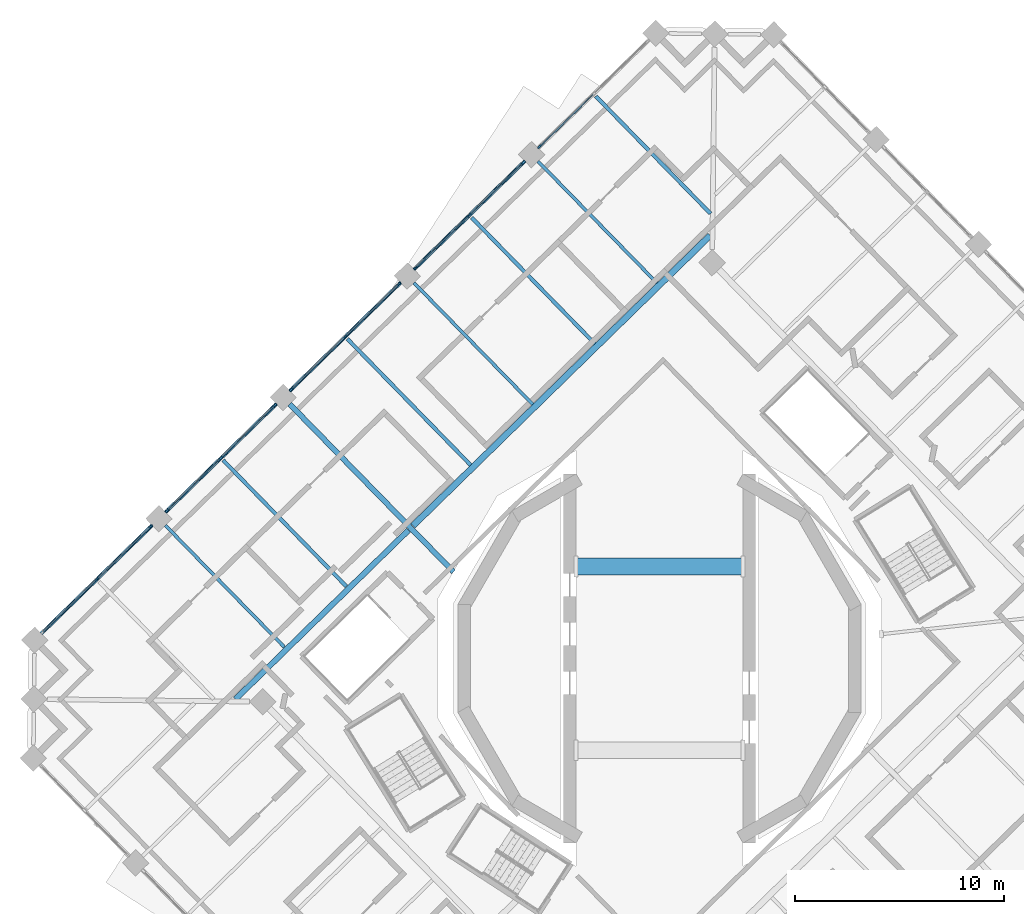
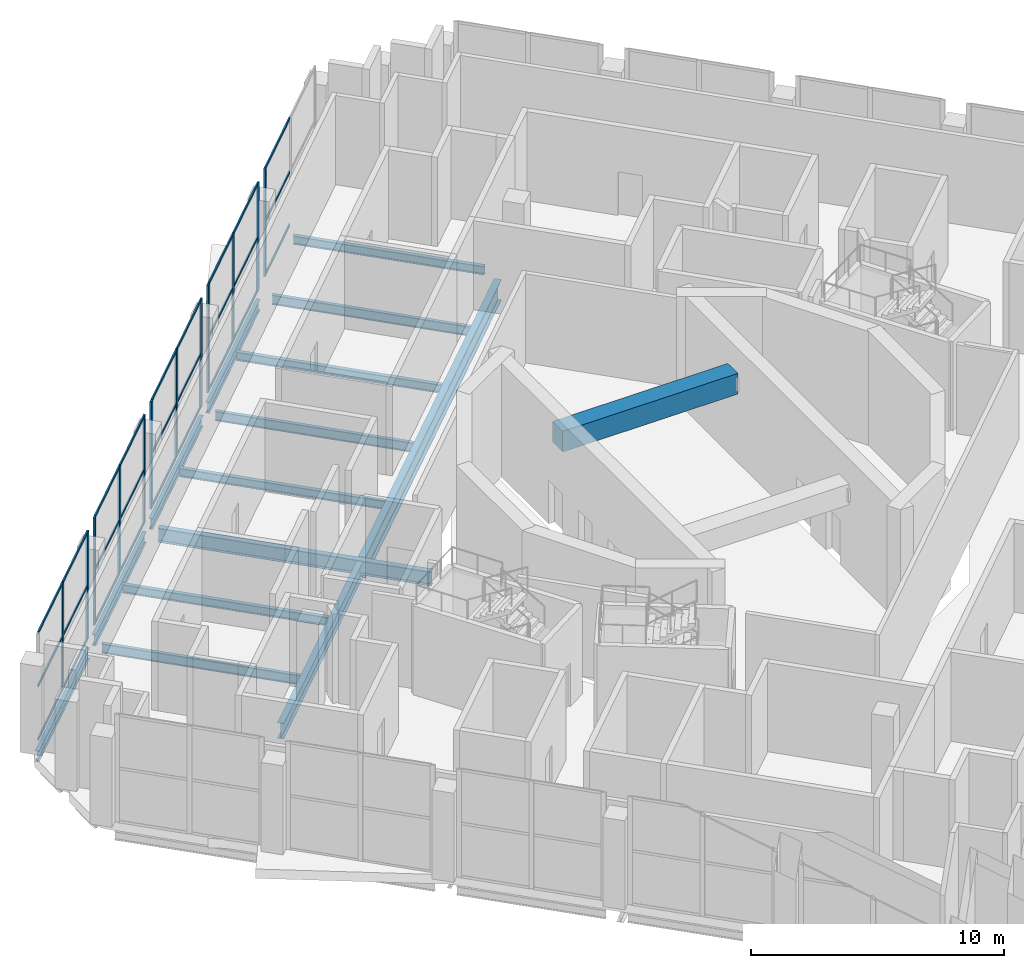
# One storey, part 6 of 20: 39 members, 15 beams, 5 elements without a shape of their own.
"""IFC4 building model written with IfcOpenShell, lengths in metres."""

from ifc_helpers import new_model, si_unit, direction, frame, origin, origin_2d, place, context, subcontext, project, spatial, rectangle, i_section, extrude, material, material_profile, profile_set, type_object, element, aggregate, save


model = new_model("IFC4")

# Units and contexts
model_context = context("Model", 3, precision=1e-05, world=origin(), true_north=direction((0.0, 1.0)))
body_context = subcontext(model_context, "Body", "Model", "MODEL_VIEW")
ifc_project = project(units=[si_unit("LENGTHUNIT", "METRE"), si_unit("AREAUNIT", "SQUARE_METRE"), si_unit("VOLUMEUNIT", "CUBIC_METRE"), si_unit("PLANEANGLEUNIT", "RADIAN"), si_unit("MASSUNIT", "GRAM", prefix="KILO")], contexts=[model_context])

# Site, building, storey
site_placement = place(None, origin())
site = spatial("IfcSite", under=ifc_project, at=site_placement, CompositionType="ELEMENT")
building_placement = place(site_placement, origin())
building = spatial("IfcBuilding", under=site, at=building_placement, Name="Cantera Rosa Tower", CompositionType="ELEMENT")
storey_placement = place(building_placement, frame((0.0, 0.0, 245.0)))
storey = spatial("IfcBuildingStorey", under=building, at=storey_placement, Name="L54", CompositionType="ELEMENT", Elevation=245.0)

# Curtain wall, member
ifc_material_1 = material(Name="Anodised aluminium louvre", Category="aluminium")
curtain_wall_type = type_object("IfcCurtainWallType", Name="CW3 REFUGE LOUVRE WALL", PredefinedType="NOTDEFINED", material=ifc_material_1)
curtain_wall_1_placement = place(storey_placement, origin())
curtain_wall_1 = element("IfcCurtainWall", 1, at=curtain_wall_1_placement, inside=storey, type_object=curtain_wall_type, Name="CW3 CW3", PredefinedType="NOTDEFINED")
ifc_material_2 = material(Name="Anodised bronze aluminium", Category="aluminium")
ifc_material_profile_1 = material_profile(ifc_material_2, rectangle(XDim=0.080078125, YDim=0.199951171875, at=origin_2d()), Name="CW-MULLION 80x200 REFUGE")
ifc_profile_set_1 = profile_set([ifc_material_profile_1], Name="Anodised bronze aluminium")
member_type_1 = type_object("IfcMemberType", Name="CW-MULLION 80x200 REFUGE", PredefinedType="MULLION", material=ifc_profile_set_1)
member_1_placement = place(storey_placement, frame((-5.746826171875, 24.51318359375, 0.0), z_axis=(0.0, 0.0, 1.0), x_axis=(0.698831540301, -0.715286291131, 0.0)))
member_1 = element("IfcMember", 2, at=member_1_placement, type_object=member_type_1, Name="CW3 mullion 3", PredefinedType="MULLION", context=body_context, shape_type="SweptSolid", body=[
    extrude(rectangle(XDim=0.080078125, YDim=0.199951171875, at=origin_2d()), origin(), (0.0, 0.0, 1.0), 5.199951171875),
])

# Curtain wall, members
curtain_wall_2_placement = place(storey_placement, origin())
curtain_wall_2 = element("IfcCurtainWall", 3, at=curtain_wall_2_placement, inside=storey, type_object=curtain_wall_type, Name="CW3 CW3", PredefinedType="NOTDEFINED")
member_2_placement = place(storey_placement, frame((-6.519287109375, 23.758544921875, 0.0), z_axis=(0.0, 0.0, 1.0), x_axis=(0.698831540376, -0.715286291058, 0.0)))
member_2 = element("IfcMember", 4, at=member_2_placement, type_object=member_type_1, Name="CW3 mullion 1", PredefinedType="MULLION", context=body_context, shape_type="SweptSolid", body=[
    extrude(rectangle(XDim=0.080078125, YDim=0.199951171875, at=origin_2d()), origin(), (0.0, 0.0, 1.0), 5.199951171875),
])
member_3_placement = place(storey_placement, frame((-9.108642578125, 21.228759765625, 0.0), z_axis=(0.0, 0.0, 1.0), x_axis=(0.698831540376, -0.715286291058, 0.0)))
member_3 = element("IfcMember", 5, at=member_3_placement, type_object=member_type_1, Name="CW3 mullion 2", PredefinedType="MULLION", context=body_context, shape_type="SweptSolid", body=[
    extrude(rectangle(XDim=0.080078125, YDim=0.199951171875, at=origin_2d()), origin(), (0.0, 0.0, 1.0), 5.199951171875),
])
member_4_placement = place(storey_placement, frame((-11.697998046875, 18.698974609375, 0.0), z_axis=(0.0, 0.0, 1.0), x_axis=(0.698831540376, -0.715286291058, 0.0)))
member_4 = element("IfcMember", 6, at=member_4_placement, type_object=member_type_1, Name="CW3 mullion 3", PredefinedType="MULLION", context=body_context, shape_type="SweptSolid", body=[
    extrude(rectangle(XDim=0.080078125, YDim=0.199951171875, at=origin_2d()), origin(), (0.0, 0.0, 1.0), 5.199951171875),
])

curtain_wall_3_placement = place(storey_placement, origin())
curtain_wall_3 = element("IfcCurtainWall", 7, at=curtain_wall_3_placement, inside=storey, type_object=curtain_wall_type, Name="CW3 CW3", PredefinedType="NOTDEFINED")
member_5_placement = place(storey_placement, frame((-12.470458984375, 17.944091796875, 0.0), z_axis=(0.0, 0.0, 1.0), x_axis=(0.698831540376, -0.715286291058, 0.0)))
member_5 = element("IfcMember", 8, at=member_5_placement, type_object=member_type_1, Name="CW3 mullion 1", PredefinedType="MULLION", context=body_context, shape_type="SweptSolid", body=[
    extrude(rectangle(XDim=0.080078125, YDim=0.199951171875, at=origin_2d()), origin(), (0.0, 0.0, 1.0), 5.199951171875),
])
member_6_placement = place(storey_placement, frame((-15.059814453125, 15.414306640625, 0.0), z_axis=(0.0, 0.0, 1.0), x_axis=(0.698831540376, -0.715286291058, 0.0)))
member_6 = element("IfcMember", 9, at=member_6_placement, type_object=member_type_1, Name="CW3 mullion 2", PredefinedType="MULLION", context=body_context, shape_type="SweptSolid", body=[
    extrude(rectangle(XDim=0.080078125, YDim=0.199951171875, at=origin_2d()), origin(), (0.0, 0.0, 1.0), 5.199951171875),
])
member_7_placement = place(storey_placement, frame((-17.649169921875, 12.884765625, 0.0), z_axis=(0.0, 0.0, 1.0), x_axis=(0.698831540376, -0.715286291058, 0.0)))
member_7 = element("IfcMember", 10, at=member_7_placement, type_object=member_type_1, Name="CW3 mullion 3", PredefinedType="MULLION", context=body_context, shape_type="SweptSolid", body=[
    extrude(rectangle(XDim=0.080078125, YDim=0.199951171875, at=origin_2d()), origin(), (0.0, 0.0, 1.0), 5.199951171875),
])

curtain_wall_4_placement = place(storey_placement, origin())
curtain_wall_4 = element("IfcCurtainWall", 11, at=curtain_wall_4_placement, inside=storey, type_object=curtain_wall_type, Name="CW3 CW3", PredefinedType="NOTDEFINED")
member_8_placement = place(storey_placement, frame((-18.421630859375, 12.1298828125, 0.0), z_axis=(0.0, 0.0, 1.0), x_axis=(0.698831540301, -0.715286291131, 0.0)))
member_8 = element("IfcMember", 12, at=member_8_placement, type_object=member_type_1, Name="CW3 mullion 1", PredefinedType="MULLION", context=body_context, shape_type="SweptSolid", body=[
    extrude(rectangle(XDim=0.080078125, YDim=0.199951171875, at=origin_2d()), origin(), (0.0, 0.0, 1.0), 5.199951171875),
])
member_9_placement = place(storey_placement, frame((-21.010986328125, 9.60009765625, 0.0), z_axis=(0.0, 0.0, 1.0), x_axis=(0.698831540301, -0.715286291131, 0.0)))
member_9 = element("IfcMember", 13, at=member_9_placement, type_object=member_type_1, Name="CW3 mullion 2", PredefinedType="MULLION", context=body_context, shape_type="SweptSolid", body=[
    extrude(rectangle(XDim=0.080078125, YDim=0.199951171875, at=origin_2d()), origin(), (0.0, 0.0, 1.0), 5.199951171875),
])
member_10_placement = place(storey_placement, frame((-23.600341796875, 7.0703125, 0.0), z_axis=(0.0, 0.0, 1.0), x_axis=(0.698831540301, -0.715286291131, 0.0)))
member_10 = element("IfcMember", 14, at=member_10_placement, type_object=member_type_1, Name="CW3 mullion 3", PredefinedType="MULLION", context=body_context, shape_type="SweptSolid", body=[
    extrude(rectangle(XDim=0.080078125, YDim=0.199951171875, at=origin_2d()), origin(), (0.0, 0.0, 1.0), 5.199951171875),
])

curtain_wall_5_placement = place(storey_placement, origin())
curtain_wall_5 = element("IfcCurtainWall", 15, at=curtain_wall_5_placement, inside=storey, type_object=curtain_wall_type, Name="CW3 CW3", PredefinedType="NOTDEFINED")
member_11_placement = place(storey_placement, frame((-24.372802734375, 6.315673828125, 0.0), z_axis=(0.0, 0.0, 1.0), x_axis=(0.698831540439, -0.715286290997, 0.0)))
member_11 = element("IfcMember", 16, at=member_11_placement, type_object=member_type_1, Name="CW3 mullion 1", PredefinedType="MULLION", context=body_context, shape_type="SweptSolid", body=[
    extrude(rectangle(XDim=0.080078125, YDim=0.199951171875, at=origin_2d()), origin(), (0.0, 0.0, 1.0), 5.199951171875),
])
member_12_placement = place(storey_placement, frame((-26.962158203125, 3.785888671875, 0.0), z_axis=(0.0, 0.0, 1.0), x_axis=(0.698831540439, -0.715286290997, 0.0)))
member_12 = element("IfcMember", 17, at=member_12_placement, type_object=member_type_1, Name="CW3 mullion 2", PredefinedType="MULLION", context=body_context, shape_type="SweptSolid", body=[
    extrude(rectangle(XDim=0.080078125, YDim=0.199951171875, at=origin_2d()), origin(), (0.0, 0.0, 1.0), 5.199951171875),
])

# Member
ifc_material_3 = material(Name="Anodised bronze aluminium", Category="aluminium")
ifc_material_profile_2 = material_profile(ifc_material_3, rectangle(XDim=0.06005859375, YDim=0.1201171875, at=origin_2d()), Name="CW-TRANSOM 60x120 REFUGE")
ifc_profile_set_2 = profile_set([ifc_material_profile_2], Name="Anodised bronze aluminium")
member_type_2 = type_object("IfcMemberType", Name="CW-TRANSOM 60x120 REFUGE", PredefinedType="USERDEFINED", material=ifc_profile_set_2)
member_13_placement = place(storey_placement, frame((-3.18603515625, 27.01513671875, 0.030029296875), z_axis=(-0.715300014303, -0.698817493727, 0.0), x_axis=(0.698817493727, -0.715300014303, 0.0)))
member_13 = element("IfcMember", 18, at=member_13_placement, type_object=member_type_2, Name="CW3 transom 2.1", ObjectType="TRANSOM", PredefinedType="USERDEFINED", context=body_context, shape_type="SweptSolid", body=[
    extrude(rectangle(XDim=0.06005859375, YDim=0.1201171875, at=origin_2d()), origin(), (0.0, 0.0, 1.0), 3.5400390625),
])

member_14_placement = place(storey_placement, frame((-3.18603515625, 27.01513671875, 2.60009765625), z_axis=(-0.715300014303, -0.698817493727, 0.0), x_axis=(0.698817493727, -0.715300014303, 0.0)))
member_14 = element("IfcMember", 19, at=member_14_placement, type_object=member_type_2, Name="CW3 transom 2.2", ObjectType="TRANSOM", PredefinedType="USERDEFINED", context=body_context, shape_type="SweptSolid", body=[
    extrude(rectangle(XDim=0.06005859375, YDim=0.1201171875, at=origin_2d()), origin(), (0.0, 0.0, 1.0), 3.5400390625),
])

member_15_placement = place(storey_placement, frame((-3.18603515625, 27.01513671875, 5.169921875), z_axis=(-0.715300014303, -0.698817493727, 0.0), x_axis=(0.698817493727, -0.715300014303, 0.0)))
member_15 = element("IfcMember", 20, at=member_15_placement, type_object=member_type_2, Name="CW3 transom 2.3", ObjectType="TRANSOM", PredefinedType="USERDEFINED", context=body_context, shape_type="SweptSolid", body=[
    extrude(rectangle(XDim=0.06005859375, YDim=0.1201171875, at=origin_2d()), origin(), (0.0, 0.0, 1.0), 3.5400390625),
])

aggregate(curtain_wall_1, [member_1, member_13, member_14, member_15])

member_16_placement = place(storey_placement, frame((-6.5478515625, 23.73046875, 0.030029296875), z_axis=(-0.715300014303, -0.698817493727, 0.0), x_axis=(0.698817493727, -0.715300014303, 0.0)))
member_16 = element("IfcMember", 21, at=member_16_placement, type_object=member_type_2, Name="CW3 transom 1.1", ObjectType="TRANSOM", PredefinedType="USERDEFINED", context=body_context, shape_type="SweptSolid", body=[
    extrude(rectangle(XDim=0.06005859375, YDim=0.1201171875, at=origin_2d()), origin(), (0.0, 0.0, 1.0), 3.5400390625),
])

member_17_placement = place(storey_placement, frame((-6.5478515625, 23.73046875, 2.60009765625), z_axis=(-0.715300014303, -0.698817493727, 0.0), x_axis=(0.698817493727, -0.715300014303, 0.0)))
member_17 = element("IfcMember", 22, at=member_17_placement, type_object=member_type_2, Name="CW3 transom 1.2", ObjectType="TRANSOM", PredefinedType="USERDEFINED", context=body_context, shape_type="SweptSolid", body=[
    extrude(rectangle(XDim=0.06005859375, YDim=0.1201171875, at=origin_2d()), origin(), (0.0, 0.0, 1.0), 3.5400390625),
])

member_18_placement = place(storey_placement, frame((-6.5478515625, 23.73046875, 5.169921875), z_axis=(-0.715300014303, -0.698817493727, 0.0), x_axis=(0.698817493727, -0.715300014303, 0.0)))
member_18 = element("IfcMember", 23, at=member_18_placement, type_object=member_type_2, Name="CW3 transom 1.3", ObjectType="TRANSOM", PredefinedType="USERDEFINED", context=body_context, shape_type="SweptSolid", body=[
    extrude(rectangle(XDim=0.06005859375, YDim=0.1201171875, at=origin_2d()), origin(), (0.0, 0.0, 1.0), 3.5400390625),
])

member_19_placement = place(storey_placement, frame((-9.13720703125, 21.20068359375, 0.030029296875), z_axis=(-0.715300014303, -0.698817493727, 0.0), x_axis=(0.698817493727, -0.715300014303, 0.0)))
member_19 = element("IfcMember", 24, at=member_19_placement, type_object=member_type_2, Name="CW3 transom 2.1", ObjectType="TRANSOM", PredefinedType="USERDEFINED", context=body_context, shape_type="SweptSolid", body=[
    extrude(rectangle(XDim=0.06005859375, YDim=0.1201171875, at=origin_2d()), origin(), (0.0, 0.0, 1.0), 3.5400390625),
])

member_20_placement = place(storey_placement, frame((-9.13720703125, 21.20068359375, 2.60009765625), z_axis=(-0.715300014303, -0.698817493727, 0.0), x_axis=(0.698817493727, -0.715300014303, 0.0)))
member_20 = element("IfcMember", 25, at=member_20_placement, type_object=member_type_2, Name="CW3 transom 2.2", ObjectType="TRANSOM", PredefinedType="USERDEFINED", context=body_context, shape_type="SweptSolid", body=[
    extrude(rectangle(XDim=0.06005859375, YDim=0.1201171875, at=origin_2d()), origin(), (0.0, 0.0, 1.0), 3.5400390625),
])

member_21_placement = place(storey_placement, frame((-9.13720703125, 21.20068359375, 5.169921875), z_axis=(-0.715300014303, -0.698817493727, 0.0), x_axis=(0.698817493727, -0.715300014303, 0.0)))
member_21 = element("IfcMember", 26, at=member_21_placement, type_object=member_type_2, Name="CW3 transom 2.3", ObjectType="TRANSOM", PredefinedType="USERDEFINED", context=body_context, shape_type="SweptSolid", body=[
    extrude(rectangle(XDim=0.06005859375, YDim=0.1201171875, at=origin_2d()), origin(), (0.0, 0.0, 1.0), 3.5400390625),
])

aggregate(curtain_wall_2, [member_2, member_3, member_4, member_16, member_17, member_18, member_19, member_20, member_21])

member_22_placement = place(storey_placement, frame((-12.4990234375, 17.916259765625, 0.030029296875), z_axis=(-0.715300014303, -0.698817493727, 0.0), x_axis=(0.698817493727, -0.715300014303, 0.0)))
member_22 = element("IfcMember", 27, at=member_22_placement, type_object=member_type_2, Name="CW3 transom 1.1", ObjectType="TRANSOM", PredefinedType="USERDEFINED", context=body_context, shape_type="SweptSolid", body=[
    extrude(rectangle(XDim=0.06005859375, YDim=0.1201171875, at=origin_2d()), origin(), (0.0, 0.0, 1.0), 3.5400390625),
])

member_23_placement = place(storey_placement, frame((-12.4990234375, 17.916259765625, 2.60009765625), z_axis=(-0.715300014303, -0.698817493727, 0.0), x_axis=(0.698817493727, -0.715300014303, 0.0)))
member_23 = element("IfcMember", 28, at=member_23_placement, type_object=member_type_2, Name="CW3 transom 1.2", ObjectType="TRANSOM", PredefinedType="USERDEFINED", context=body_context, shape_type="SweptSolid", body=[
    extrude(rectangle(XDim=0.06005859375, YDim=0.1201171875, at=origin_2d()), origin(), (0.0, 0.0, 1.0), 3.5400390625),
])

member_24_placement = place(storey_placement, frame((-12.4990234375, 17.916259765625, 5.169921875), z_axis=(-0.715300014303, -0.698817493727, 0.0), x_axis=(0.698817493727, -0.715300014303, 0.0)))
member_24 = element("IfcMember", 29, at=member_24_placement, type_object=member_type_2, Name="CW3 transom 1.3", ObjectType="TRANSOM", PredefinedType="USERDEFINED", context=body_context, shape_type="SweptSolid", body=[
    extrude(rectangle(XDim=0.06005859375, YDim=0.1201171875, at=origin_2d()), origin(), (0.0, 0.0, 1.0), 3.5400390625),
])

member_25_placement = place(storey_placement, frame((-15.08837890625, 15.386474609375, 0.030029296875), z_axis=(-0.715300014303, -0.698817493727, 0.0), x_axis=(0.698817493727, -0.715300014303, 0.0)))
member_25 = element("IfcMember", 30, at=member_25_placement, type_object=member_type_2, Name="CW3 transom 2.1", ObjectType="TRANSOM", PredefinedType="USERDEFINED", context=body_context, shape_type="SweptSolid", body=[
    extrude(rectangle(XDim=0.06005859375, YDim=0.1201171875, at=origin_2d()), origin(), (0.0, 0.0, 1.0), 3.5400390625),
])

member_26_placement = place(storey_placement, frame((-15.08837890625, 15.386474609375, 2.60009765625), z_axis=(-0.715300014303, -0.698817493727, 0.0), x_axis=(0.698817493727, -0.715300014303, 0.0)))
member_26 = element("IfcMember", 31, at=member_26_placement, type_object=member_type_2, Name="CW3 transom 2.2", ObjectType="TRANSOM", PredefinedType="USERDEFINED", context=body_context, shape_type="SweptSolid", body=[
    extrude(rectangle(XDim=0.06005859375, YDim=0.1201171875, at=origin_2d()), origin(), (0.0, 0.0, 1.0), 3.5400390625),
])

member_27_placement = place(storey_placement, frame((-15.08837890625, 15.386474609375, 5.169921875), z_axis=(-0.715300014303, -0.698817493727, 0.0), x_axis=(0.698817493727, -0.715300014303, 0.0)))
member_27 = element("IfcMember", 32, at=member_27_placement, type_object=member_type_2, Name="CW3 transom 2.3", ObjectType="TRANSOM", PredefinedType="USERDEFINED", context=body_context, shape_type="SweptSolid", body=[
    extrude(rectangle(XDim=0.06005859375, YDim=0.1201171875, at=origin_2d()), origin(), (0.0, 0.0, 1.0), 3.5400390625),
])

aggregate(curtain_wall_3, [member_5, member_6, member_7, member_22, member_23, member_24, member_25, member_26, member_27])

member_28_placement = place(storey_placement, frame((-18.4501953125, 12.10205078125, 0.030029296875), z_axis=(-0.715300014303, -0.698817493727, 0.0), x_axis=(0.698817493727, -0.715300014303, 0.0)))
member_28 = element("IfcMember", 33, at=member_28_placement, type_object=member_type_2, Name="CW3 transom 1.1", ObjectType="TRANSOM", PredefinedType="USERDEFINED", context=body_context, shape_type="SweptSolid", body=[
    extrude(rectangle(XDim=0.06005859375, YDim=0.1201171875, at=origin_2d()), origin(), (0.0, 0.0, 1.0), 3.5400390625),
])

member_29_placement = place(storey_placement, frame((-18.4501953125, 12.10205078125, 2.60009765625), z_axis=(-0.715300014303, -0.698817493727, 0.0), x_axis=(0.698817493727, -0.715300014303, 0.0)))
member_29 = element("IfcMember", 34, at=member_29_placement, type_object=member_type_2, Name="CW3 transom 1.2", ObjectType="TRANSOM", PredefinedType="USERDEFINED", context=body_context, shape_type="SweptSolid", body=[
    extrude(rectangle(XDim=0.06005859375, YDim=0.1201171875, at=origin_2d()), origin(), (0.0, 0.0, 1.0), 3.5400390625),
])

member_30_placement = place(storey_placement, frame((-18.4501953125, 12.10205078125, 5.169921875), z_axis=(-0.715300014303, -0.698817493727, 0.0), x_axis=(0.698817493727, -0.715300014303, 0.0)))
member_30 = element("IfcMember", 35, at=member_30_placement, type_object=member_type_2, Name="CW3 transom 1.3", ObjectType="TRANSOM", PredefinedType="USERDEFINED", context=body_context, shape_type="SweptSolid", body=[
    extrude(rectangle(XDim=0.06005859375, YDim=0.1201171875, at=origin_2d()), origin(), (0.0, 0.0, 1.0), 3.5400390625),
])

member_31_placement = place(storey_placement, frame((-21.03955078125, 9.572265625, 0.030029296875), z_axis=(-0.715300014303, -0.698817493727, 0.0), x_axis=(0.698817493727, -0.715300014303, 0.0)))
member_31 = element("IfcMember", 36, at=member_31_placement, type_object=member_type_2, Name="CW3 transom 2.1", ObjectType="TRANSOM", PredefinedType="USERDEFINED", context=body_context, shape_type="SweptSolid", body=[
    extrude(rectangle(XDim=0.06005859375, YDim=0.1201171875, at=origin_2d()), origin(), (0.0, 0.0, 1.0), 3.5400390625),
])

member_32_placement = place(storey_placement, frame((-21.03955078125, 9.572265625, 2.60009765625), z_axis=(-0.715300014303, -0.698817493727, 0.0), x_axis=(0.698817493727, -0.715300014303, 0.0)))
member_32 = element("IfcMember", 37, at=member_32_placement, type_object=member_type_2, Name="CW3 transom 2.2", ObjectType="TRANSOM", PredefinedType="USERDEFINED", context=body_context, shape_type="SweptSolid", body=[
    extrude(rectangle(XDim=0.06005859375, YDim=0.1201171875, at=origin_2d()), origin(), (0.0, 0.0, 1.0), 3.5400390625),
])

member_33_placement = place(storey_placement, frame((-21.03955078125, 9.572265625, 5.169921875), z_axis=(-0.715300014303, -0.698817493727, 0.0), x_axis=(0.698817493727, -0.715300014303, 0.0)))
member_33 = element("IfcMember", 38, at=member_33_placement, type_object=member_type_2, Name="CW3 transom 2.3", ObjectType="TRANSOM", PredefinedType="USERDEFINED", context=body_context, shape_type="SweptSolid", body=[
    extrude(rectangle(XDim=0.06005859375, YDim=0.1201171875, at=origin_2d()), origin(), (0.0, 0.0, 1.0), 3.5400390625),
])

aggregate(curtain_wall_4, [member_8, member_9, member_10, member_28, member_29, member_30, member_31, member_32, member_33])

member_34_placement = place(storey_placement, frame((-24.4013671875, 6.28759765625, 0.030029296875), z_axis=(-0.715300014303, -0.698817493727, 0.0), x_axis=(0.698817493727, -0.715300014303, 0.0)))
member_34 = element("IfcMember", 39, at=member_34_placement, type_object=member_type_2, Name="CW3 transom 1.1", ObjectType="TRANSOM", PredefinedType="USERDEFINED", context=body_context, shape_type="SweptSolid", body=[
    extrude(rectangle(XDim=0.06005859375, YDim=0.1201171875, at=origin_2d()), origin(), (0.0, 0.0, 1.0), 3.5400390625),
])

member_35_placement = place(storey_placement, frame((-24.4013671875, 6.28759765625, 2.60009765625), z_axis=(-0.715300014303, -0.698817493727, 0.0), x_axis=(0.698817493727, -0.715300014303, 0.0)))
member_35 = element("IfcMember", 40, at=member_35_placement, type_object=member_type_2, Name="CW3 transom 1.2", ObjectType="TRANSOM", PredefinedType="USERDEFINED", context=body_context, shape_type="SweptSolid", body=[
    extrude(rectangle(XDim=0.06005859375, YDim=0.1201171875, at=origin_2d()), origin(), (0.0, 0.0, 1.0), 3.5400390625),
])

member_36_placement = place(storey_placement, frame((-24.4013671875, 6.28759765625, 5.169921875), z_axis=(-0.715300014303, -0.698817493727, 0.0), x_axis=(0.698817493727, -0.715300014303, 0.0)))
member_36 = element("IfcMember", 41, at=member_36_placement, type_object=member_type_2, Name="CW3 transom 1.3", ObjectType="TRANSOM", PredefinedType="USERDEFINED", context=body_context, shape_type="SweptSolid", body=[
    extrude(rectangle(XDim=0.06005859375, YDim=0.1201171875, at=origin_2d()), origin(), (0.0, 0.0, 1.0), 3.5400390625),
])

member_37_placement = place(storey_placement, frame((-26.99072265625, 3.7578125, 0.030029296875), z_axis=(-0.715300014303, -0.698817493727, 0.0), x_axis=(0.698817493727, -0.715300014303, 0.0)))
member_37 = element("IfcMember", 42, at=member_37_placement, type_object=member_type_2, Name="CW3 transom 2.1", ObjectType="TRANSOM", PredefinedType="USERDEFINED", context=body_context, shape_type="SweptSolid", body=[
    extrude(rectangle(XDim=0.06005859375, YDim=0.1201171875, at=origin_2d()), origin(), (0.0, 0.0, 1.0), 3.5400390625),
])

member_38_placement = place(storey_placement, frame((-26.99072265625, 3.7578125, 2.60009765625), z_axis=(-0.715300014303, -0.698817493727, 0.0), x_axis=(0.698817493727, -0.715300014303, 0.0)))
member_38 = element("IfcMember", 43, at=member_38_placement, type_object=member_type_2, Name="CW3 transom 2.2", ObjectType="TRANSOM", PredefinedType="USERDEFINED", context=body_context, shape_type="SweptSolid", body=[
    extrude(rectangle(XDim=0.06005859375, YDim=0.1201171875, at=origin_2d()), origin(), (0.0, 0.0, 1.0), 3.5400390625),
])

member_39_placement = place(storey_placement, frame((-26.99072265625, 3.7578125, 5.169921875), z_axis=(-0.715300014303, -0.698817493727, 0.0), x_axis=(0.698817493727, -0.715300014303, 0.0)))
member_39 = element("IfcMember", 44, at=member_39_placement, type_object=member_type_2, Name="CW3 transom 2.3", ObjectType="TRANSOM", PredefinedType="USERDEFINED", context=body_context, shape_type="SweptSolid", body=[
    extrude(rectangle(XDim=0.06005859375, YDim=0.1201171875, at=origin_2d()), origin(), (0.0, 0.0, 1.0), 3.5400390625),
])

aggregate(curtain_wall_5, [member_11, member_12, member_34, member_35, member_36, member_37, member_38, member_39])

# Beams
ifc_material_4 = material(Name="Concrete C50/60", Category="concrete")
ifc_material_profile_3 = material_profile(ifc_material_4, rectangle(XDim=0.800048828125, YDim=1.0, at=origin_2d()), Name="RC COUPLING BEAM RC800X1000 C50/60")
ifc_profile_set_3 = profile_set([ifc_material_profile_3], Name="Concrete C50/60")
beam_type_1 = type_object("IfcBeamType", Name="RC COUPLING BEAM RC800X1000 C50/60", PredefinedType="BEAM", material=ifc_profile_set_3)
beam_1_placement = place(storey_placement, frame((-4.0, 4.39990234375, 3.800048828125), z_axis=(1.0, 0.0, 0.0), x_axis=(0.0, 1.0, 0.0)))
element("IfcBeam", 45, at=beam_1_placement, inside=storey, type_object=beam_type_1, Name="CPL-L54-2", PredefinedType="BEAM", context=body_context, shape_type="SweptSolid", body=[
    extrude(rectangle(XDim=0.800048828125, YDim=1.0, at=origin_2d()), origin(), (0.0, 0.0, 1.0), 8.0),
])
ifc_material_5 = material(Name="Steel ASTM A992 (Fy 345 MPa)", Category="steel")
ifc_material_profile_4 = material_profile(ifc_material_5, i_section(OverallWidth=0.302001953125, OverallDepth=1.010009765625, WebThickness=0.02099609375, FlangeThickness=0.0400390625, FilletRadius=0.030029296875, at=origin_2d()), Name="W1000X350")
ifc_profile_set_4 = profile_set([ifc_material_profile_4], Name="Steel ASTM A992 (Fy 345 MPa)")
beam_type_2 = type_object("IfcBeamType", Name="STEEL BEAM W1000X350", PredefinedType="BEAM", material=ifc_profile_set_4)
beam_2_placement = place(storey_placement, frame((-11.813232421875, 6.353271484375, -0.955078125), z_axis=(0.715280810147, 0.698837150297, 0.0), x_axis=(-0.698837150297, 0.715280810147, 0.0)))
element("IfcBeam", 46, at=beam_2_placement, inside=storey, type_object=beam_type_2, Name="RB-Z4-02 L54", PredefinedType="BEAM", context=body_context, shape_type="SweptSolid", body=[
    extrude(i_section(OverallWidth=0.302001953125, OverallDepth=1.010009765625, WebThickness=0.02099609375, FlangeThickness=0.0400390625, FilletRadius=0.030029296875, at=origin_2d()), origin(), (0.0, 0.0, 1.0), 19.909912109375),
])
ifc_material_6 = material(Name="Steel ASTM A992 (Fy 345 MPa)", Category="steel")
ifc_material_profile_5 = material_profile(ifc_material_6, i_section(OverallWidth=0.154052734375, OverallDepth=0.4599609375, WebThickness=0.009033203125, FlangeThickness=0.015380859375, FilletRadius=0.01025390625, at=origin_2d()), Name="W460X68")
ifc_profile_set_5 = profile_set([ifc_material_profile_5], Name="Steel ASTM A992 (Fy 345 MPa)")
beam_type_3 = type_object("IfcBeamType", Name="STEEL BEAM W460X68", PredefinedType="BEAM", material=ifc_profile_set_5)
for number, where, z_axis, x_axis, name in (
    (47, (-5.818603515625, 23.81396484375, -0.679931640625), (0.698836133494, -0.715281803574, 0.0), (0.715281803574, 0.698836133494, 0.0), "G-Z4-05 L54"),
    (48, (-11.769775390625, 17.999755859375, -0.679931640625), (0.698836133494, -0.715281803574, 0.0), (0.715281803574, 0.698836133494, 0.0), "G-Z4-06 L54"),
    (49, (-23.672119140625, 6.37109375, -0.679931640625), (0.698836133494, -0.715281803574, 0.0), (0.715281803574, 0.698836133494, 0.0), "G-Z4-08 L54"),
):
    element("IfcBeam", number, at=place(storey_placement, frame(where, z_axis=z_axis, x_axis=x_axis)), inside=storey, type_object=beam_type_3, Name=name, PredefinedType="BEAM", context=body_context, shape_type="SweptSolid", body=[
        extrude(i_section(OverallWidth=0.154052734375, OverallDepth=0.4599609375, WebThickness=0.009033203125, FlangeThickness=0.015380859375, FilletRadius=0.01025390625, at=origin_2d()), origin(), (0.0, 0.0, 1.0), 8.150146484375),
    ])
ifc_material_7 = material(Name="Steel ASTM A992 (Fy 345 MPa)", Category="steel")
ifc_material_profile_6 = material_profile(ifc_material_7, i_section(OverallWidth=0.25390625, OverallDepth=0.677978515625, WebThickness=0.01171875, FlangeThickness=0.016357421875, FilletRadius=0.01513671875, at=origin_2d()), Name="W690X125")
ifc_profile_set_6 = profile_set([ifc_material_profile_6], Name="Steel ASTM A992 (Fy 345 MPa)")
beam_type_4 = type_object("IfcBeamType", Name="STEEL BEAM W690X125", PredefinedType="BEAM", material=ifc_profile_set_6)
beam_3_placement = place(storey_placement, frame((-17.720947265625, 12.185302734375, -0.7890625), z_axis=(0.698831358516, -0.715286468734, 0.0), x_axis=(0.715286468734, 0.698831358516, 0.0)))
element("IfcBeam", 50, at=beam_3_placement, inside=storey, type_object=beam_type_4, Name="G-Z4-07 L54", PredefinedType="BEAM", context=body_context, shape_type="SweptSolid", body=[
    extrude(i_section(OverallWidth=0.25390625, OverallDepth=0.677978515625, WebThickness=0.01171875, FlangeThickness=0.016357421875, FilletRadius=0.01513671875, at=origin_2d()), origin(), (0.0, 0.0, 1.0), 11.2314453125),
])
ifc_material_8 = material(Name="Steel ASTM A992 (Fy 345 MPa)", Category="steel")
ifc_material_profile_7 = material_profile(ifc_material_8, i_section(OverallWidth=0.26708984375, OverallDepth=0.75390625, WebThickness=0.01318359375, FlangeThickness=0.01708984375, FilletRadius=0.0166015625, at=origin_2d()), Name="W760X147")
ifc_profile_set_7 = profile_set([ifc_material_profile_7], Name="Steel ASTM A992 (Fy 345 MPa)")
beam_type_5 = type_object("IfcBeamType", Name="STEEL BEAM W760X147", PredefinedType="BEAM", material=ifc_profile_set_7)
beam_4_placement = place(storey_placement, frame((-20.318115234375, -1.955810546875, -0.826904296875), z_axis=(0.715284592672, 0.698833278749, 0.0), x_axis=(-0.698833278749, 0.715284592672, 0.0)))
element("IfcBeam", 51, at=beam_4_placement, inside=storey, type_object=beam_type_5, Name="RB-Z4-01 L54", PredefinedType="BEAM", context=body_context, shape_type="SweptSolid", body=[
    extrude(i_section(OverallWidth=0.26708984375, OverallDepth=0.75390625, WebThickness=0.01318359375, FlangeThickness=0.01708984375, FilletRadius=0.0166015625, at=origin_2d()), origin(), (0.0, 0.0, 1.0), 11.590087890625),
])
ifc_material_9 = material(Name="Steel ASTM A992 (Fy 345 MPa)", Category="steel")
ifc_material_profile_8 = material_profile(ifc_material_9, i_section(OverallWidth=0.177978515625, OverallDepth=0.406005859375, WebThickness=0.0078125, FlangeThickness=0.0126953125, FilletRadius=0.01025390625, at=origin_2d()), Name="W410X60")
ifc_profile_set_8 = profile_set([ifc_material_profile_8], Name="Steel ASTM A992 (Fy 345 MPa)")
beam_type_6 = type_object("IfcBeamType", Name="STEEL JOIST W410X60", PredefinedType="JOIST", material=ifc_profile_set_8)
beam_5_placement = place(storey_placement, frame((-3.052734375, 26.935791015625, -0.653076171875), z_axis=(0.698827868311, -0.715289878631, 0.0), x_axis=(0.715289878631, 0.698827868311, 0.0)))
element("IfcBeam", 52, at=beam_5_placement, inside=storey, type_object=beam_type_6, Name="B-Z4-06 L54", PredefinedType="JOIST", context=body_context, shape_type="SweptSolid", body=[
    extrude(i_section(OverallWidth=0.177978515625, OverallDepth=0.406005859375, WebThickness=0.0078125, FlangeThickness=0.0126953125, FilletRadius=0.01025390625, at=origin_2d()), origin(), (0.0, 0.0, 1.0), 7.860107421875),
])
for number, where, z_axis, x_axis, name in (
    (53, (-9.00390625, 21.121337890625, -0.653076171875), (0.698839235604, -0.715278772774, 0.0), (0.715278772774, 0.698839235604, 0.0), "B-Z4-07 L54"),
    (54, (-14.955078125, 15.30712890625, -0.653076171875), (0.698839235604, -0.715278772774, 0.0), (0.715278772774, 0.698839235604, 0.0), "B-Z4-08 L54"),
    (55, (-20.90625, 9.492919921875, -0.653076171875), (0.698839235604, -0.715278772774, 0.0), (0.715278772774, 0.698839235604, 0.0), "B-Z4-09 L54"),
):
    element("IfcBeam", number, at=place(storey_placement, frame(where, z_axis=z_axis, x_axis=x_axis)), inside=storey, type_object=beam_type_6, Name=name, PredefinedType="JOIST", context=body_context, shape_type="SweptSolid", body=[
        extrude(i_section(OverallWidth=0.177978515625, OverallDepth=0.406005859375, WebThickness=0.0078125, FlangeThickness=0.0126953125, FilletRadius=0.01025390625, at=origin_2d()), origin(), (0.0, 0.0, 1.0), 8.4501953125),
    ])
ifc_material_10 = material(Name="Steel ASTM A992 (Fy 345 MPa)", Category="steel")
ifc_material_profile_9 = material_profile(ifc_material_10, i_section(OverallWidth=0.166015625, OverallDepth=0.528076171875, WebThickness=0.009765625, FlangeThickness=0.013671875, FilletRadius=0.0126953125, at=origin_2d()), Name="W530X74")
ifc_profile_set_9 = profile_set([ifc_material_profile_9], Name="Steel ASTM A992 (Fy 345 MPa)")
beam_type_7 = type_object("IfcBeamType", Name="STEEL SPANDREL BEAM W530X74", PredefinedType="SPANDREL", material=ifc_profile_set_9)
for number, where, z_axis, x_axis, name in (
    (56, (-6.454833984375, 23.8212890625, -0.714111328125), (-0.715300826176, -0.698816662703, 0.0), (0.698816662703, -0.715300826176, 0.0), "EB-Z4-09 L54"),
    (57, (-12.406005859375, 18.007080078125, -0.714111328125), (-0.715300826176, -0.698816662703, 0.0), (0.698816662703, -0.715300826176, 0.0), "EB-Z4-10 L54"),
    (58, (-18.357177734375, 12.19287109375, -0.714111328125), (-0.715300826176, -0.698816662703, 0.0), (0.698816662703, -0.715300826176, 0.0), "EB-Z4-11 L54"),
    (59, (-24.308349609375, 6.37841796875, -0.714111328125), (-0.715300826176, -0.698816662703, 0.0), (0.698816662703, -0.715300826176, 0.0), "EB-Z4-12 L54"),
):
    element("IfcBeam", number, at=place(storey_placement, frame(where, z_axis=z_axis, x_axis=x_axis)), inside=storey, type_object=beam_type_7, Name=name, PredefinedType="SPANDREL", context=body_context, shape_type="SweptSolid", body=[
        extrude(i_section(OverallWidth=0.166015625, OverallDepth=0.528076171875, WebThickness=0.009765625, FlangeThickness=0.013671875, FilletRadius=0.0126953125, at=origin_2d()), origin(), (0.0, 0.0, 1.0), 7.420166015625),
    ])

save(model, "model.ifc")
